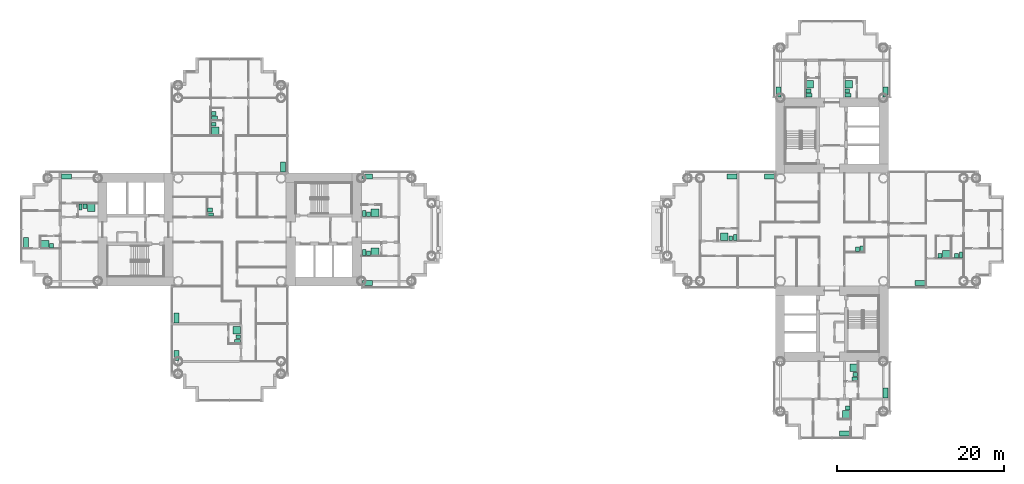
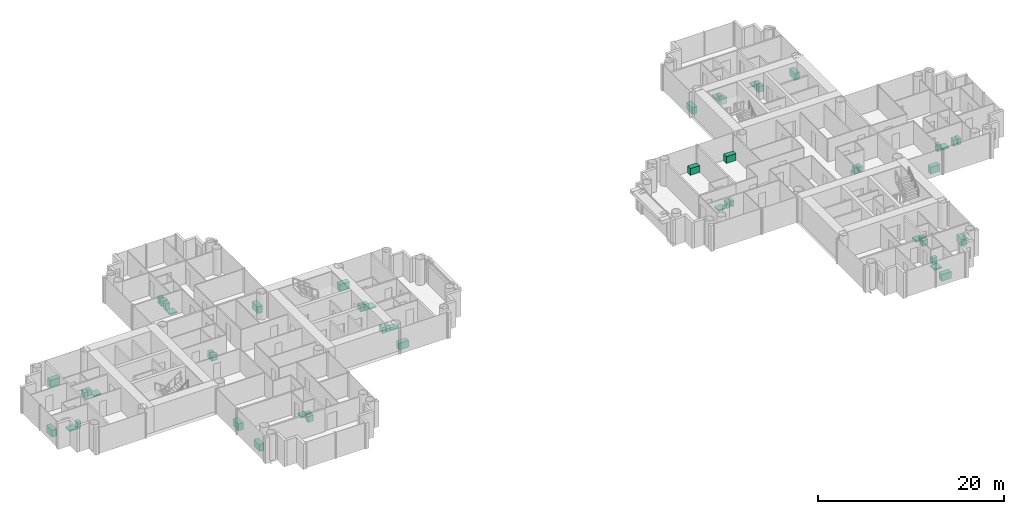
# One storey, part 22 of 22: 54 sanitary terminals.
"""IFC4 building model written with IfcOpenShell, lengths in metres."""

from ifc_helpers import new_model, si_unit, direction, frame, origin, origin_2d, place, context, subcontext, project, spatial, rectangle, extrude, material, type_object, element, save


model = new_model("IFC4")

# Units and contexts
model_context = context("Model", 3, precision=1e-05, world=origin(), true_north=direction((0.0, 1.0)))
body_context = subcontext(model_context, "Body", "Model", "MODEL_VIEW")
ifc_project = project(units=[si_unit("LENGTHUNIT", "METRE"), si_unit("AREAUNIT", "SQUARE_METRE"), si_unit("VOLUMEUNIT", "CUBIC_METRE"), si_unit("PLANEANGLEUNIT", "RADIAN"), si_unit("MASSUNIT", "GRAM", prefix="KILO")], contexts=[model_context])

# Site, building, storey
site_placement = place(None, origin())
site = spatial("IfcSite", under=ifc_project, at=site_placement, CompositionType="ELEMENT")
building_placement = place(site_placement, origin())
building = spatial("IfcBuilding", under=site, at=building_placement, Name="Ipe Terrace Towers", CompositionType="ELEMENT")
storey_placement = place(building_placement, frame((0.0, 0.0, 68.699951171875)))
storey = spatial("IfcBuildingStorey", under=building, at=storey_placement, Name="L18", CompositionType="ELEMENT", Elevation=68.699951171875)

# Sanitary terminals
ifc_material_1 = material(Name="Stainless sink unit", Category="metal")
sanitary_terminal_type_1 = type_object("IfcSanitaryTerminalType", Name="Kitchen sink unit", PredefinedType="SINK", material=ifc_material_1)
for number, where, z_axis, x_axis, name in (
    (1, (-29.6201171875, 7.469970703125, 0.0), (0.0, 0.0, 1.0), (0.0, -1.0, 0.0), "Kitchen sink unit"),
    (2, (-42.3798828125, -10.530029296875, 0.0), (0.0, 0.0, 1.0), (0.0, 1.0, 0.0), "Kitchen sink unit"),
    (3, (-42.3798828125, -15.030029296875, 0.0), (0.0, 0.0, 1.0), (0.0, 1.0, 0.0), "Kitchen sink unit"),
    (4, (-19.530029296875, 6.3798828125, 0.0), (0.0, 0.0, 1.0), (1.0, 0.0, 0.0), "Kitchen sink unit"),
    (5, (-19.530029296875, -6.3798828125, 0.0), (0.0, 0.0, 1.0), (-1.0, 0.0, 0.0), "Kitchen sink unit"),
    (6, (-55.530029296875, 6.3798828125, 0.0), (0.0, 0.0, 1.0), (1.0, 0.0, 0.0), "Kitchen sink unit"),
    (7, (-60.3798828125, -1.530029296875, 0.0), (0.0, 0.0, 1.0), (0.0, 1.0, 0.0), "Kitchen sink unit"),
    (8, (28.530029296875, 6.3798828125, 0.0), (0.0, 0.0, 1.0), (1.0, 0.0, 0.0), "Kitchen sink unit"),
    (9, (24.030029296875, 6.3798828125, 0.0), (0.0, 0.0, 1.0), (1.0, 0.0, 0.0), "Kitchen sink unit"),
    (10, (46.530029296875, -6.3798828125, 0.0), (0.0, 0.0, 1.0), (-1.0, 0.0, 0.0), "Kitchen sink unit"),
    (11, (29.6201171875, 16.469970703125, 0.0), (0.0, 0.0, 1.0), (0.0, 1.0, 0.0), "Kitchen sink unit"),
    (12, (42.3798828125, 16.469970703125, 0.0), (0.0, 0.0, 1.0), (0.0, -1.0, 0.0), "Kitchen sink unit"),
    (13, (42.3798828125, -19.530029296875, 0.0), (0.0, 0.0, 1.0), (0.0, -1.0, 0.0), "Kitchen sink unit"),
    (14, (37.530029296875, -24.3798828125, 0.0), (0.0, 0.0, 1.0), (-1.0, 0.0, 0.0), "Kitchen sink unit"),
):
    element("IfcSanitaryTerminal", number, at=place(storey_placement, frame(where, z_axis=z_axis, x_axis=x_axis)), inside=storey, type_object=sanitary_terminal_type_1, Name=name, PredefinedType="SINK", context=body_context, shape_type="SweptSolid", body=[
        extrude(rectangle(XDim=1.199951171875, YDim=0.60009765625, at=origin_2d()), origin(), (0.0, 0.0, 1.0), 0.89990234375),
    ])
ifc_material_2 = material(Name="Acrylic", Category="plastic")
sanitary_terminal_type_2 = type_object("IfcSanitaryTerminalType", Name="Shower tray", PredefinedType="SHOWER", material=ifc_material_2)
for number, where, z_axis, x_axis, name in (
    (15, (-37.72998046875, 11.820068359375, 0.0), (0.0, 0.0, 1.0), (1.0, 0.0, 0.0), "Shower tray"),
    (16, (-35.169921875, -12.030029296875, 0.0), (0.0, 0.0, 1.0), (-1.0, 0.0, 0.0), "Shower tray"),
    (17, (-18.6298828125, 2.02001953125, 0.0), (0.0, 0.0, 1.0), (0.0, 1.0, 0.0), "Shower tray"),
    (18, (-18.6298828125, -2.6298828125, 0.0), (0.0, 0.0, 1.0), (0.0, 1.0, 0.0), "Shower tray"),
    (19, (-52.530029296875, 2.6298828125, 0.0), (0.0, 0.0, 1.0), (0.0, -1.0, 0.0), "Shower tray"),
    (20, (-58.080078125, -1.72998046875, 0.0), (0.0, 0.0, 1.0), (0.0, 1.0, 0.0), "Shower tray"),
    (21, (23.1298828125, -0.830078125, 0.0), (0.0, 0.0, 1.0), (0.0, 1.0, 0.0), "Shower tray"),
    (22, (49.679931640625, -2.929931640625, 0.0), (0.0, 0.0, 1.0), (0.0, 1.0, 0.0), "Shower tray"),
    (23, (33.3701171875, 17.3701171875, 0.0), (0.0, 0.0, 1.0), (1.0, 0.0, 0.0), "Shower tray"),
    (24, (38.02001953125, 17.3701171875, 0.0), (0.0, 0.0, 1.0), (1.0, 0.0, 0.0), "Shower tray"),
    (25, (38.6298828125, -16.530029296875, 0.0), (0.0, 0.0, 1.0), (-1.0, 0.0, 0.0), "Shower tray"),
    (26, (37.72998046875, -22.080078125, 0.0), (0.0, 0.0, 1.0), (-1.0, 0.0, 0.0), "Shower tray"),
):
    element("IfcSanitaryTerminal", number, at=place(storey_placement, frame(where, z_axis=z_axis, x_axis=x_axis)), inside=storey, type_object=sanitary_terminal_type_2, Name=name, PredefinedType="SHOWER", context=body_context, shape_type="SweptSolid", body=[
        extrude(rectangle(XDim=0.89990234375, YDim=0.89990234375, at=origin_2d()), origin(), (0.0, 0.0, 1.0), 0.14990234375),
    ])
ifc_material_3 = material(Name="Vitreous china", Category="ceramic")
sanitary_terminal_type_3 = type_object("IfcSanitaryTerminalType", Name="Wash basin", PredefinedType="WASHHANDBASIN", material=ifc_material_3)
for number, where, z_axis, x_axis, name in (
    (27, (-38.35498046875, 2.344970703125, 0.0), (0.0, 0.0, 1.0), (1.0, 0.0, 0.0), "Wash basin"),
    (28, (-37.905029296875, 12.594970703125, 0.0), (0.0, 0.0, 1.0), (1.0, 0.0, 0.0), "Wash basin"),
    (29, (-37.905029296875, 13.89501953125, 0.0), (0.0, 0.0, 1.0), (1.0, 0.0, 0.0), "Wash basin"),
    (30, (-34.9951171875, -12.804931640625, 0.0), (0.0, 0.0, 1.0), (-1.0, 0.0, 0.0), "Wash basin"),
    (31, (-19.405029296875, 1.844970703125, 0.0), (0.0, 0.0, 1.0), (0.0, 1.0, 0.0), "Wash basin"),
    (32, (-19.405029296875, -2.804931640625, 0.0), (0.0, 0.0, 1.0), (0.0, 1.0, 0.0), "Wash basin"),
    (33, (-53.304931640625, 2.804931640625, 0.0), (0.0, 0.0, 1.0), (0.0, -1.0, 0.0), "Wash basin"),
    (34, (-57.304931640625, -1.905029296875, 0.0), (0.0, 0.0, 1.0), (0.0, 1.0, 0.0), "Wash basin"),
    (35, (39.054931640625, -2.35498046875, 0.0), (0.0, 0.0, 1.0), (0.0, 1.0, 0.0), "Wash basin"),
    (36, (23.905029296875, -1.0048828125, 0.0), (0.0, 0.0, 1.0), (0.0, 1.0, 0.0), "Wash basin"),
    (37, (48.905029296875, -3.10498046875, 0.0), (0.0, 0.0, 1.0), (0.0, 1.0, 0.0), "Wash basin"),
    (38, (50.905029296875, -3.10498046875, 0.0), (0.0, 0.0, 1.0), (0.0, 1.0, 0.0), "Wash basin"),
    (39, (33.195068359375, 16.594970703125, 0.0), (0.0, 0.0, 1.0), (1.0, 0.0, 0.0), "Wash basin"),
    (40, (37.844970703125, 16.594970703125, 0.0), (0.0, 0.0, 1.0), (1.0, 0.0, 0.0), "Wash basin"),
    (41, (38.804931640625, -17.304931640625, 0.0), (0.0, 0.0, 1.0), (-1.0, 0.0, 0.0), "Wash basin"),
    (42, (37.905029296875, -21.304931640625, 0.0), (0.0, 0.0, 1.0), (-1.0, 0.0, 0.0), "Wash basin"),
):
    element("IfcSanitaryTerminal", number, at=place(storey_placement, frame(where, z_axis=z_axis, x_axis=x_axis)), inside=storey, type_object=sanitary_terminal_type_3, Name=name, PredefinedType="WASHHANDBASIN", context=body_context, shape_type="SweptSolid", body=[
        extrude(rectangle(XDim=0.550048828125, YDim=0.449951171875, at=origin_2d()), origin(), (0.0, 0.0, 1.0), 0.85009765625),
    ])
ifc_material_4 = material(Name="Vitreous china", Category="ceramic")
sanitary_terminal_type_4 = type_object("IfcSanitaryTerminalType", Name="Water closet", PredefinedType="TOILETPAN", material=ifc_material_4)
for number, where, z_axis, x_axis, name in (
    (43, (-38.280029296875, 1.820068359375, 0.0), (0.0, 0.0, 1.0), (1.0, 0.0, 0.0), "Water closet"),
    (44, (-37.830078125, 13.3701171875, 0.0), (0.0, 0.0, 1.0), (1.0, 0.0, 0.0), "Water closet"),
    (45, (-35.070068359375, -13.330078125, 0.0), (0.0, 0.0, 1.0), (-1.0, 0.0, 0.0), "Water closet"),
    (46, (-19.929931640625, 1.919921875, 0.0), (0.0, 0.0, 1.0), (0.0, 1.0, 0.0), "Water closet"),
    (47, (-19.929931640625, -2.72998046875, 0.0), (0.0, 0.0, 1.0), (0.0, 1.0, 0.0), "Water closet"),
    (48, (-53.830078125, 2.72998046875, 0.0), (0.0, 0.0, 1.0), (0.0, -1.0, 0.0), "Water closet"),
    (49, (39.580078125, -2.280029296875, 0.0), (0.0, 0.0, 1.0), (0.0, 1.0, 0.0), "Water closet"),
    (50, (24.429931640625, -0.929931640625, 0.0), (0.0, 0.0, 1.0), (0.0, 1.0, 0.0), "Water closet"),
    (51, (51.429931640625, -3.030029296875, 0.0), (0.0, 0.0, 1.0), (0.0, 1.0, 0.0), "Water closet"),
    (52, (33.27001953125, 16.070068359375, 0.0), (0.0, 0.0, 1.0), (1.0, 0.0, 0.0), "Water closet"),
    (53, (37.919921875, 16.070068359375, 0.0), (0.0, 0.0, 1.0), (1.0, 0.0, 0.0), "Water closet"),
    (54, (38.72998046875, -17.830078125, 0.0), (0.0, 0.0, 1.0), (-1.0, 0.0, 0.0), "Water closet"),
):
    element("IfcSanitaryTerminal", number, at=place(storey_placement, frame(where, z_axis=z_axis, x_axis=x_axis)), inside=storey, type_object=sanitary_terminal_type_4, Name=name, PredefinedType="TOILETPAN", context=body_context, shape_type="SweptSolid", body=[
        extrude(rectangle(XDim=0.699951171875, YDim=0.39990234375, at=origin_2d()), origin(), (0.0, 0.0, 1.0), 0.780029296875),
    ])

save(model, "model.ifc")
